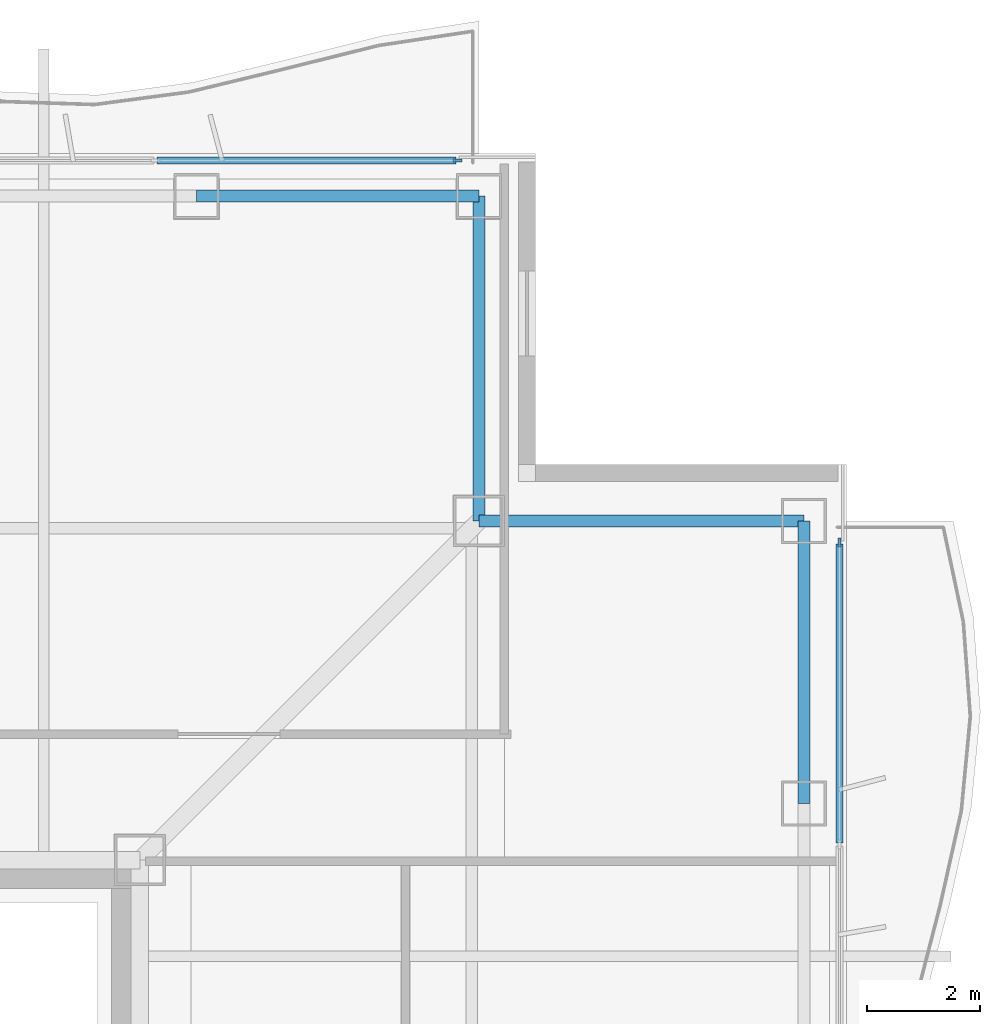
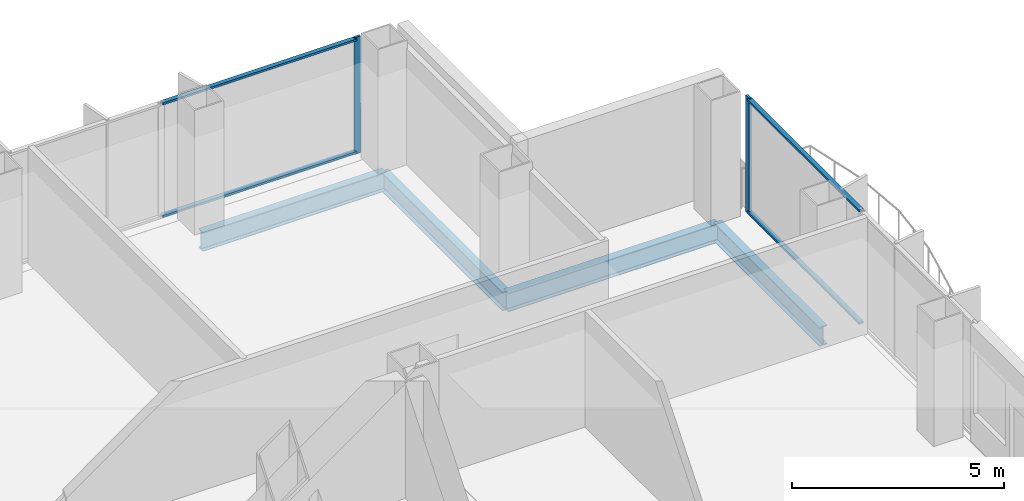
# One storey, part 9 of 16: 6 members, 4 beams, 2 elements without a shape of their own.
"""IFC4 building model written with IfcOpenShell, lengths in metres."""

from ifc_helpers import new_model, si_unit, direction, frame, origin, origin_2d, place, context, subcontext, project, spatial, rectangle, i_section, extrude, material, layer, layer_set, material_profile, profile_set, type_object, element, aggregate, save


model = new_model("IFC4")

# Units and contexts
model_context = context("Model", 3, precision=1e-05, world=origin(), true_north=direction((0.0, 1.0)))
body_context = subcontext(model_context, "Body", "Model", "MODEL_VIEW")
ifc_project = project(units=[si_unit("LENGTHUNIT", "METRE"), si_unit("AREAUNIT", "SQUARE_METRE"), si_unit("VOLUMEUNIT", "CUBIC_METRE"), si_unit("PLANEANGLEUNIT", "RADIAN"), si_unit("MASSUNIT", "GRAM", prefix="KILO")], contexts=[model_context])

# Site, building, storey
site_placement = place(None, origin())
site = spatial("IfcSite", under=ifc_project, at=site_placement, CompositionType="ELEMENT")
building_placement = place(site_placement, origin())
building = spatial("IfcBuilding", under=site, at=building_placement, Name="Trevonay Congress Spire", CompositionType="ELEMENT")
storey_placement = place(building_placement, frame((0.0, 0.0, 195.0)))
storey = spatial("IfcBuildingStorey", under=building, at=storey_placement, Name="L50", CompositionType="ELEMENT", Elevation=195.0)

# Beams
ifc_material_1 = material(Name="Steel ASTM A572 Grade 50", Category="steel")
ifc_material_profile_1 = material_profile(ifc_material_1, i_section(OverallWidth=0.2119140625, OverallDepth=0.5439453125, WebThickness=0.01318359375, FlangeThickness=0.021240234375, FilletRadius=0.014892578125, at=origin_2d()), Name="W530x123")
ifc_profile_set_1 = profile_set([ifc_material_profile_1], Name="Steel ASTM A572 Grade 50")
beam_type = type_object("IfcBeamType", Name="BM-RING-W530X123", PredefinedType="BEAM", material=ifc_profile_set_1)
for number, where, z_axis, x_axis, name in (
    (1, (8.5, 19.25, -0.511962890625), (1.0, 0.0, 0.0), (0.0, 1.0, 0.0), "L50 structural beam BM-L50-PN5"),
    (2, (19.25, 8.5, -0.511962890625), (0.0, 1.0, 0.0), (-1.0, 0.0, 0.0), "L50 structural beam BM-L50-PE5"),
):
    element("IfcBeam", number, at=place(storey_placement, frame(where, z_axis=z_axis, x_axis=x_axis)), inside=storey, type_object=beam_type, Name=name, PredefinedType="BEAM", context=body_context, shape_type="SweptSolid", body=[
        extrude(i_section(OverallWidth=0.2119140625, OverallDepth=0.5439453125, WebThickness=0.01318359375, FlangeThickness=0.021240234375, FilletRadius=0.014892578125, at=origin_2d()), origin(), (0.0, 0.0, 1.0), 5.0),
    ])
for number, where, z_axis, x_axis, name in (
    (3, (13.5, 19.25, -0.511962890625), (0.0, -1.0, 0.0), (1.0, 0.0, 0.0), "L50 structural beam BM-L50-N1NE"),
    (4, (19.25, 13.5, -0.511962890625), (-1.0, 0.0, 0.0), (0.0, -1.0, 0.0), "L50 structural beam BM-L50-N2NE"),
):
    element("IfcBeam", number, at=place(storey_placement, frame(where, z_axis=z_axis, x_axis=x_axis)), inside=storey, type_object=beam_type, Name=name, PredefinedType="BEAM", context=body_context, shape_type="SweptSolid", body=[
        extrude(i_section(OverallWidth=0.2119140625, OverallDepth=0.5439453125, WebThickness=0.01318359375, FlangeThickness=0.021240234375, FilletRadius=0.014892578125, at=origin_2d()), origin(), (0.0, 0.0, 1.0), 5.75),
    ])

# Curtain wall, member
ifc_material_2 = material(Name="Pale Anodised Aluminium EN AW-6063-T6", Category="aluminium")
ifc_layer = layer(ifc_material_2, 0.169921875, Name="Pale Anodised Aluminium EN AW-6063-T6")
ifc_layer_set = layer_set([ifc_layer], Name="Pale Anodised Aluminium EN AW-6063-T6")
curtain_wall_type = type_object("IfcCurtainWallType", Name="CW-SYS04-CORP-PALE-METAL", PredefinedType="NOTDEFINED", material=ifc_layer_set)
curtain_wall_1_placement = place(storey_placement, origin())
curtain_wall_1 = element("IfcCurtainWall", 5, at=curtain_wall_1_placement, inside=storey, type_object=curtain_wall_type, Name="L50 NB unitised curtain wall", PredefinedType="NOTDEFINED")
ifc_material_profile_2 = material_profile(ifc_material_2, rectangle(XDim=0.06005859375, YDim=0.159912109375, at=origin_2d()), Name="CW-MULLION-160-ALUMINIUM")
ifc_profile_set_2 = profile_set([ifc_material_profile_2], Name="Pale Anodised Aluminium EN AW-6063-T6")
member_type_1 = type_object("IfcMemberType", Name="CW-MULLION-160-ALUMINIUM", PredefinedType="MULLION", material=ifc_profile_set_2)
member_1_placement = place(storey_placement, frame((13.1201171875, 19.8798828125, 0.0), z_axis=(0.0, 0.0, 1.0), x_axis=(0.0, 1.0, 0.0)))
member_1 = element("IfcMember", 6, at=member_1_placement, type_object=member_type_1, Name="CW04 mullion 3", PredefinedType="MULLION", context=body_context, shape_type="SweptSolid", body=[
    extrude(rectangle(XDim=0.06005859375, YDim=0.159912109375, at=origin_2d()), origin(), (0.0, 0.0, 1.0), 3.360107421875),
])

curtain_wall_2_placement = place(storey_placement, origin())
curtain_wall_2 = element("IfcCurtainWall", 7, at=curtain_wall_2_placement, inside=storey, type_object=curtain_wall_type, Name="L50 EB unitised curtain wall", PredefinedType="NOTDEFINED")
member_2_placement = place(storey_placement, frame((19.8798828125, 13.1201171875, 0.0), z_axis=(0.0, 0.0, 1.0), x_axis=(-1.0, 0.0, 0.0)))
member_2 = element("IfcMember", 8, at=member_2_placement, type_object=member_type_1, Name="CW04 mullion 3", PredefinedType="MULLION", context=body_context, shape_type="SweptSolid", body=[
    extrude(rectangle(XDim=0.06005859375, YDim=0.159912109375, at=origin_2d()), origin(), (0.0, 0.0, 1.0), 3.360107421875),
])

# Member
ifc_material_profile_3 = material_profile(ifc_material_2, rectangle(XDim=0.1201171875, YDim=0.06005859375, at=origin_2d()), Name="CW-TRANSOM-120-ALUMINIUM")
ifc_profile_set_3 = profile_set([ifc_material_profile_3], Name="Pale Anodised Aluminium EN AW-6063-T6")
member_type_2 = type_object("IfcMemberType", Name="CW-TRANSOM-120-ALUMINIUM", PredefinedType="USERDEFINED", material=ifc_profile_set_3)
member_3_placement = place(storey_placement, frame((7.804931640625, 19.8798828125, 0.06005859375), z_axis=(1.0, 0.0, 0.0), x_axis=(0.0, 1.0, 0.0)))
member_3 = element("IfcMember", 9, at=member_3_placement, type_object=member_type_2, Name="CW04 transom 2.1", ObjectType="TRANSOM", PredefinedType="USERDEFINED", context=body_context, shape_type="SweptSolid", body=[
    extrude(rectangle(XDim=0.1201171875, YDim=0.06005859375, at=origin_2d()), origin(), (0.0, 0.0, 1.0), 5.28515625),
])

member_4_placement = place(storey_placement, frame((7.804931640625, 19.8798828125, 3.300048828125), z_axis=(1.0, 0.0, 0.0), x_axis=(0.0, 1.0, 0.0)))
member_4 = element("IfcMember", 10, at=member_4_placement, type_object=member_type_2, Name="CW04 transom 2.2", ObjectType="TRANSOM", PredefinedType="USERDEFINED", context=body_context, shape_type="SweptSolid", body=[
    extrude(rectangle(XDim=0.1201171875, YDim=0.06005859375, at=origin_2d()), origin(), (0.0, 0.0, 1.0), 5.28515625),
])

aggregate(curtain_wall_1, [member_1, member_3, member_4])

member_5_placement = place(storey_placement, frame((19.8798828125, 7.804931640625, 0.06005859375), z_axis=(0.0, 1.0, 0.0), x_axis=(-1.0, 0.0, 0.0)))
member_5 = element("IfcMember", 11, at=member_5_placement, type_object=member_type_2, Name="CW04 transom 2.1", ObjectType="TRANSOM", PredefinedType="USERDEFINED", context=body_context, shape_type="SweptSolid", body=[
    extrude(rectangle(XDim=0.1201171875, YDim=0.06005859375, at=origin_2d()), origin(), (0.0, 0.0, 1.0), 5.28515625),
])

member_6_placement = place(storey_placement, frame((19.8798828125, 7.804931640625, 3.300048828125), z_axis=(0.0, 1.0, 0.0), x_axis=(-1.0, 0.0, 0.0)))
member_6 = element("IfcMember", 12, at=member_6_placement, type_object=member_type_2, Name="CW04 transom 2.2", ObjectType="TRANSOM", PredefinedType="USERDEFINED", context=body_context, shape_type="SweptSolid", body=[
    extrude(rectangle(XDim=0.1201171875, YDim=0.06005859375, at=origin_2d()), origin(), (0.0, 0.0, 1.0), 5.28515625),
])

aggregate(curtain_wall_2, [member_2, member_5, member_6])

save(model, "model.ifc")
